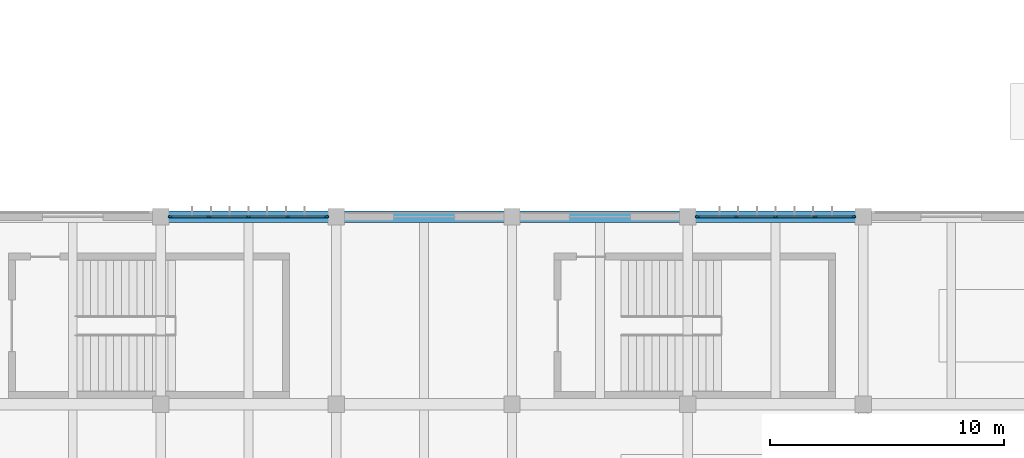
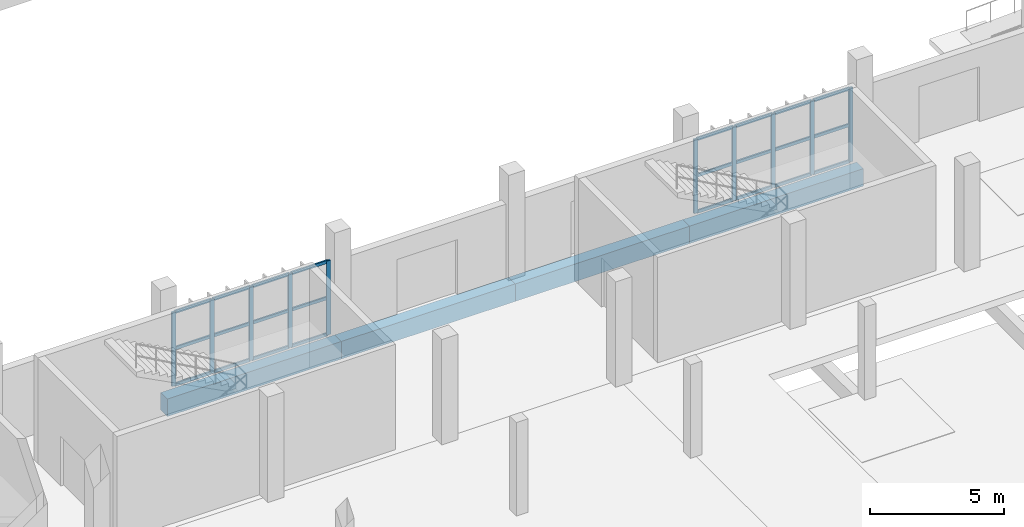
# One storey, part 18 of 72: 34 members, 4 beams, 2 elements without a shape of their own.
"""IFC4 building model written with IfcOpenShell, lengths in metres."""

from ifc_helpers import new_model, si_unit, direction, frame, origin, origin_2d, place, context, subcontext, project, spatial, rectangle, extrude, material, material_profile, profile_set, type_object, element, aggregate, save


model = new_model("IFC4")

# Units and contexts
model_context = context("Model", 3, precision=1e-05, world=origin(), true_north=direction((0.0, 1.0)))
body_context = subcontext(model_context, "Body", "Model", "MODEL_VIEW")
ifc_project = project(units=[si_unit("LENGTHUNIT", "METRE"), si_unit("AREAUNIT", "SQUARE_METRE"), si_unit("VOLUMEUNIT", "CUBIC_METRE"), si_unit("PLANEANGLEUNIT", "RADIAN"), si_unit("MASSUNIT", "GRAM", prefix="KILO")], contexts=[model_context])

# Site, building, storey
site_placement = place(None, origin())
site = spatial("IfcSite", under=ifc_project, at=site_placement, CompositionType="ELEMENT")
building_placement = place(site_placement, origin())
building = spatial("IfcBuilding", under=site, at=building_placement, Name="Vourika Railside Aquatics Centre", CompositionType="ELEMENT")
storey_placement = place(building_placement, origin())
storey = spatial("IfcBuildingStorey", under=building, at=storey_placement, Name="L00", CompositionType="ELEMENT", Elevation=0.0)

# Beams
ifc_material_1 = material(Name="Concrete C40/50", Category="concrete")
ifc_material_profile_1 = material_profile(ifc_material_1, rectangle(XDim=0.5, YDim=0.800048828125, at=origin_2d()), Name="RC 500x800")
ifc_profile_set_1 = profile_set([ifc_material_profile_1], Name="Concrete C40/50")
beam_type = type_object("IfcBeamType", Name="BM-TIE-500x800", PredefinedType="BEAM", material=ifc_profile_set_1)
for number, where, z_axis, x_axis, name in (
    (1, (96.0, 66.0, -0.719970703125), (1.0, 0.0, 0.0), (0.0, 1.0, 0.0), "Floor Beam GX-L00-105"),
    (2, (103.5, 66.0, -0.719970703125), (1.0, 0.0, 0.0), (0.0, 1.0, 0.0), "Floor Beam GX-L00-106"),
    (3, (111.0, 66.0, -0.719970703125), (1.0, 0.0, 0.0), (0.0, 1.0, 0.0), "Floor Beam GX-L00-107"),
    (4, (118.5, 66.0, -0.719970703125), (1.0, 0.0, 0.0), (0.0, 1.0, 0.0), "Floor Beam GX-L00-108"),
):
    element("IfcBeam", number, at=place(storey_placement, frame(where, z_axis=z_axis, x_axis=x_axis)), inside=storey, type_object=beam_type, Name=name, PredefinedType="BEAM", context=body_context, shape_type="SweptSolid", body=[
        extrude(rectangle(XDim=0.5, YDim=0.800048828125, at=origin_2d()), origin(), (0.0, 0.0, 1.0), 7.5),
    ])

# Curtain wall, members
ifc_material_2 = material(Name="Anodized thermally broken aluminium", Category="aluminium")
curtain_wall_type = type_object("IfcCurtainWallType", Name="CW-CRT0", PredefinedType="NOTDEFINED", material=ifc_material_2)
curtain_wall_1_placement = place(storey_placement, origin())
curtain_wall_1 = element("IfcCurtainWall", 5, at=curtain_wall_1_placement, inside=storey, type_object=curtain_wall_type, Name="North Courtyard Undercroft Curtain Wall 9", PredefinedType="NOTDEFINED")
ifc_material_3 = material(Name="Anodized aluminium mullion", Category="aluminium")
ifc_material_profile_2 = material_profile(ifc_material_3, rectangle(XDim=0.070068359375, YDim=0.177978515625, at=origin_2d()), Name="ALU-M 70x178")
ifc_profile_set_2 = profile_set([ifc_material_profile_2], Name="Anodized aluminium mullion")
member_type_1 = type_object("IfcMemberType", Name="CWM-CRT0", PredefinedType="MULLION", material=ifc_profile_set_2)
member_1_placement = place(storey_placement, frame((103.0849609375, 66.0, 0.0), z_axis=(0.0, 0.0, 1.0), x_axis=(0.0, -1.0, 0.0)))
member_1 = element("IfcMember", 6, at=member_1_placement, type_object=member_type_1, Name="CW12 mullion 1", PredefinedType="MULLION", context=body_context, shape_type="SweptSolid", body=[
    extrude(rectangle(XDim=0.070068359375, YDim=0.177978515625, at=origin_2d()), origin(), (0.0, 0.0, 1.0), 3.3798828125),
])
member_2_placement = place(storey_placement, frame((101.43505859375, 66.0, 0.0), z_axis=(0.0, 0.0, 1.0), x_axis=(0.0, -1.0, 0.0)))
member_2 = element("IfcMember", 7, at=member_2_placement, type_object=member_type_1, Name="CW12 mullion 2", PredefinedType="MULLION", context=body_context, shape_type="SweptSolid", body=[
    extrude(rectangle(XDim=0.070068359375, YDim=0.177978515625, at=origin_2d()), origin(), (0.0, 0.0, 1.0), 3.3798828125),
])
member_3_placement = place(storey_placement, frame((99.75, 66.0, 0.0), z_axis=(0.0, 0.0, 1.0), x_axis=(0.0, -1.0, 0.0)))
member_3 = element("IfcMember", 8, at=member_3_placement, type_object=member_type_1, Name="CW12 mullion 3", PredefinedType="MULLION", context=body_context, shape_type="SweptSolid", body=[
    extrude(rectangle(XDim=0.070068359375, YDim=0.177978515625, at=origin_2d()), origin(), (0.0, 0.0, 1.0), 3.3798828125),
])
member_4_placement = place(storey_placement, frame((98.06494140625, 66.0, 0.0), z_axis=(0.0, 0.0, 1.0), x_axis=(0.0, -1.0, 0.0)))
member_4 = element("IfcMember", 9, at=member_4_placement, type_object=member_type_1, Name="CW12 mullion 4", PredefinedType="MULLION", context=body_context, shape_type="SweptSolid", body=[
    extrude(rectangle(XDim=0.070068359375, YDim=0.177978515625, at=origin_2d()), origin(), (0.0, 0.0, 1.0), 3.3798828125),
])
member_5_placement = place(storey_placement, frame((96.4150390625, 66.0, 0.0), z_axis=(0.0, 0.0, 1.0), x_axis=(0.0, -1.0, 0.0)))
member_5 = element("IfcMember", 10, at=member_5_placement, type_object=member_type_1, Name="CW12 mullion 5", PredefinedType="MULLION", context=body_context, shape_type="SweptSolid", body=[
    extrude(rectangle(XDim=0.070068359375, YDim=0.177978515625, at=origin_2d()), origin(), (0.0, 0.0, 1.0), 3.3798828125),
])

curtain_wall_2_placement = place(storey_placement, origin())
curtain_wall_2 = element("IfcCurtainWall", 11, at=curtain_wall_2_placement, inside=storey, type_object=curtain_wall_type, Name="North Courtyard Undercroft Curtain Wall 12", PredefinedType="NOTDEFINED")
member_6_placement = place(storey_placement, frame((125.5849609375, 66.0, 0.0), z_axis=(0.0, 0.0, 1.0), x_axis=(0.0, -1.0, 0.0)))
member_6 = element("IfcMember", 12, at=member_6_placement, type_object=member_type_1, Name="CW12 mullion 1", PredefinedType="MULLION", context=body_context, shape_type="SweptSolid", body=[
    extrude(rectangle(XDim=0.070068359375, YDim=0.177978515625, at=origin_2d()), origin(), (0.0, 0.0, 1.0), 3.3798828125),
])
member_7_placement = place(storey_placement, frame((123.93505859375, 66.0, 0.0), z_axis=(0.0, 0.0, 1.0), x_axis=(0.0, -1.0, 0.0)))
member_7 = element("IfcMember", 13, at=member_7_placement, type_object=member_type_1, Name="CW12 mullion 2", PredefinedType="MULLION", context=body_context, shape_type="SweptSolid", body=[
    extrude(rectangle(XDim=0.070068359375, YDim=0.177978515625, at=origin_2d()), origin(), (0.0, 0.0, 1.0), 3.3798828125),
])
member_8_placement = place(storey_placement, frame((122.25, 66.0, 0.0), z_axis=(0.0, 0.0, 1.0), x_axis=(0.0, -1.0, 0.0)))
member_8 = element("IfcMember", 14, at=member_8_placement, type_object=member_type_1, Name="CW12 mullion 3", PredefinedType="MULLION", context=body_context, shape_type="SweptSolid", body=[
    extrude(rectangle(XDim=0.070068359375, YDim=0.177978515625, at=origin_2d()), origin(), (0.0, 0.0, 1.0), 3.3798828125),
])
member_9_placement = place(storey_placement, frame((120.56494140625, 66.0, 0.0), z_axis=(0.0, 0.0, 1.0), x_axis=(0.0, -1.0, 0.0)))
member_9 = element("IfcMember", 15, at=member_9_placement, type_object=member_type_1, Name="CW12 mullion 4", PredefinedType="MULLION", context=body_context, shape_type="SweptSolid", body=[
    extrude(rectangle(XDim=0.070068359375, YDim=0.177978515625, at=origin_2d()), origin(), (0.0, 0.0, 1.0), 3.3798828125),
])
member_10_placement = place(storey_placement, frame((118.9150390625, 66.0, 0.0), z_axis=(0.0, 0.0, 1.0), x_axis=(0.0, -1.0, 0.0)))
member_10 = element("IfcMember", 16, at=member_10_placement, type_object=member_type_1, Name="CW12 mullion 5", PredefinedType="MULLION", context=body_context, shape_type="SweptSolid", body=[
    extrude(rectangle(XDim=0.070068359375, YDim=0.177978515625, at=origin_2d()), origin(), (0.0, 0.0, 1.0), 3.3798828125),
])

# Member
ifc_material_4 = material(Name="Anodized aluminium transom", Category="aluminium")
ifc_material_profile_3 = material_profile(ifc_material_4, rectangle(XDim=0.070068359375, YDim=0.139892578125, at=origin_2d()), Name="ALU-T 70x140")
ifc_profile_set_3 = profile_set([ifc_material_profile_3], Name="Anodized aluminium transom")
member_type_2 = type_object("IfcMemberType", Name="CWT-CRT0", PredefinedType="USERDEFINED", material=ifc_profile_set_3)
member_11_placement = place(storey_placement, frame((103.050048828125, 66.0, 0.034912109375), z_axis=(-1.0, 0.0, 0.0), x_axis=(0.0, -1.0, 0.0)))
member_11 = element("IfcMember", 17, at=member_11_placement, type_object=member_type_2, Name="CW12 transom 1.1", ObjectType="TRANSOM", PredefinedType="USERDEFINED", context=body_context, shape_type="SweptSolid", body=[
    extrude(rectangle(XDim=0.070068359375, YDim=0.139892578125, at=origin_2d()), origin(), (0.0, 0.0, 1.0), 1.580078125),
])

member_12_placement = place(storey_placement, frame((103.050048828125, 66.0, 1.68994140625), z_axis=(-1.0, 0.0, 0.0), x_axis=(0.0, -1.0, 0.0)))
member_12 = element("IfcMember", 18, at=member_12_placement, type_object=member_type_2, Name="CW12 transom 1.2", ObjectType="TRANSOM", PredefinedType="USERDEFINED", context=body_context, shape_type="SweptSolid", body=[
    extrude(rectangle(XDim=0.070068359375, YDim=0.139892578125, at=origin_2d()), origin(), (0.0, 0.0, 1.0), 1.580078125),
])

member_13_placement = place(storey_placement, frame((103.050048828125, 66.0, 3.344970703125), z_axis=(-1.0, 0.0, 0.0), x_axis=(0.0, -1.0, 0.0)))
member_13 = element("IfcMember", 19, at=member_13_placement, type_object=member_type_2, Name="CW12 transom 1.3", ObjectType="TRANSOM", PredefinedType="USERDEFINED", context=body_context, shape_type="SweptSolid", body=[
    extrude(rectangle(XDim=0.070068359375, YDim=0.139892578125, at=origin_2d()), origin(), (0.0, 0.0, 1.0), 1.580078125),
])

member_14_placement = place(storey_placement, frame((101.39990234375, 66.0, 0.034912109375), z_axis=(-1.0, 0.0, 0.0), x_axis=(0.0, -1.0, 0.0)))
member_14 = element("IfcMember", 20, at=member_14_placement, type_object=member_type_2, Name="CW12 transom 2.1", ObjectType="TRANSOM", PredefinedType="USERDEFINED", context=body_context, shape_type="SweptSolid", body=[
    extrude(rectangle(XDim=0.070068359375, YDim=0.139892578125, at=origin_2d()), origin(), (0.0, 0.0, 1.0), 1.614990234375),
])

member_15_placement = place(storey_placement, frame((101.39990234375, 66.0, 1.68994140625), z_axis=(-1.0, 0.0, 0.0), x_axis=(0.0, -1.0, 0.0)))
member_15 = element("IfcMember", 21, at=member_15_placement, type_object=member_type_2, Name="CW12 transom 2.2", ObjectType="TRANSOM", PredefinedType="USERDEFINED", context=body_context, shape_type="SweptSolid", body=[
    extrude(rectangle(XDim=0.070068359375, YDim=0.139892578125, at=origin_2d()), origin(), (0.0, 0.0, 1.0), 1.614990234375),
])

member_16_placement = place(storey_placement, frame((101.39990234375, 66.0, 3.344970703125), z_axis=(-1.0, 0.0, 0.0), x_axis=(0.0, -1.0, 0.0)))
member_16 = element("IfcMember", 22, at=member_16_placement, type_object=member_type_2, Name="CW12 transom 2.3", ObjectType="TRANSOM", PredefinedType="USERDEFINED", context=body_context, shape_type="SweptSolid", body=[
    extrude(rectangle(XDim=0.070068359375, YDim=0.139892578125, at=origin_2d()), origin(), (0.0, 0.0, 1.0), 1.614990234375),
])

member_17_placement = place(storey_placement, frame((99.715087890625, 66.0, 0.034912109375), z_axis=(-1.0, 0.0, 0.0), x_axis=(0.0, -1.0, 0.0)))
member_17 = element("IfcMember", 23, at=member_17_placement, type_object=member_type_2, Name="CW12 transom 3.1", ObjectType="TRANSOM", PredefinedType="USERDEFINED", context=body_context, shape_type="SweptSolid", body=[
    extrude(rectangle(XDim=0.070068359375, YDim=0.139892578125, at=origin_2d()), origin(), (0.0, 0.0, 1.0), 1.614990234375),
])

member_18_placement = place(storey_placement, frame((99.715087890625, 66.0, 1.68994140625), z_axis=(-1.0, 0.0, 0.0), x_axis=(0.0, -1.0, 0.0)))
member_18 = element("IfcMember", 24, at=member_18_placement, type_object=member_type_2, Name="CW12 transom 3.2", ObjectType="TRANSOM", PredefinedType="USERDEFINED", context=body_context, shape_type="SweptSolid", body=[
    extrude(rectangle(XDim=0.070068359375, YDim=0.139892578125, at=origin_2d()), origin(), (0.0, 0.0, 1.0), 1.614990234375),
])

member_19_placement = place(storey_placement, frame((99.715087890625, 66.0, 3.344970703125), z_axis=(-1.0, 0.0, 0.0), x_axis=(0.0, -1.0, 0.0)))
member_19 = element("IfcMember", 25, at=member_19_placement, type_object=member_type_2, Name="CW12 transom 3.3", ObjectType="TRANSOM", PredefinedType="USERDEFINED", context=body_context, shape_type="SweptSolid", body=[
    extrude(rectangle(XDim=0.070068359375, YDim=0.139892578125, at=origin_2d()), origin(), (0.0, 0.0, 1.0), 1.614990234375),
])

member_20_placement = place(storey_placement, frame((98.030029296875, 66.0, 0.034912109375), z_axis=(-1.0, 0.0, 0.0), x_axis=(0.0, -1.0, 0.0)))
member_20 = element("IfcMember", 26, at=member_20_placement, type_object=member_type_2, Name="CW12 transom 4.1", ObjectType="TRANSOM", PredefinedType="USERDEFINED", context=body_context, shape_type="SweptSolid", body=[
    extrude(rectangle(XDim=0.070068359375, YDim=0.139892578125, at=origin_2d()), origin(), (0.0, 0.0, 1.0), 1.580078125),
])

member_21_placement = place(storey_placement, frame((98.030029296875, 66.0, 1.68994140625), z_axis=(-1.0, 0.0, 0.0), x_axis=(0.0, -1.0, 0.0)))
member_21 = element("IfcMember", 27, at=member_21_placement, type_object=member_type_2, Name="CW12 transom 4.2", ObjectType="TRANSOM", PredefinedType="USERDEFINED", context=body_context, shape_type="SweptSolid", body=[
    extrude(rectangle(XDim=0.070068359375, YDim=0.139892578125, at=origin_2d()), origin(), (0.0, 0.0, 1.0), 1.580078125),
])

member_22_placement = place(storey_placement, frame((98.030029296875, 66.0, 3.344970703125), z_axis=(-1.0, 0.0, 0.0), x_axis=(0.0, -1.0, 0.0)))
member_22 = element("IfcMember", 28, at=member_22_placement, type_object=member_type_2, Name="CW12 transom 4.3", ObjectType="TRANSOM", PredefinedType="USERDEFINED", context=body_context, shape_type="SweptSolid", body=[
    extrude(rectangle(XDim=0.070068359375, YDim=0.139892578125, at=origin_2d()), origin(), (0.0, 0.0, 1.0), 1.580078125),
])

aggregate(curtain_wall_1, [member_1, member_2, member_3, member_4, member_5, member_11, member_12, member_13, member_14, member_15, member_16, member_17, member_18, member_19, member_20, member_21, member_22])

member_23_placement = place(storey_placement, frame((125.550048828125, 66.0, 0.034912109375), z_axis=(-1.0, 0.0, 0.0), x_axis=(0.0, -1.0, 0.0)))
member_23 = element("IfcMember", 29, at=member_23_placement, type_object=member_type_2, Name="CW12 transom 1.1", ObjectType="TRANSOM", PredefinedType="USERDEFINED", context=body_context, shape_type="SweptSolid", body=[
    extrude(rectangle(XDim=0.070068359375, YDim=0.139892578125, at=origin_2d()), origin(), (0.0, 0.0, 1.0), 1.580078125),
])

member_24_placement = place(storey_placement, frame((125.550048828125, 66.0, 1.68994140625), z_axis=(-1.0, 0.0, 0.0), x_axis=(0.0, -1.0, 0.0)))
member_24 = element("IfcMember", 30, at=member_24_placement, type_object=member_type_2, Name="CW12 transom 1.2", ObjectType="TRANSOM", PredefinedType="USERDEFINED", context=body_context, shape_type="SweptSolid", body=[
    extrude(rectangle(XDim=0.070068359375, YDim=0.139892578125, at=origin_2d()), origin(), (0.0, 0.0, 1.0), 1.580078125),
])

member_25_placement = place(storey_placement, frame((125.550048828125, 66.0, 3.344970703125), z_axis=(-1.0, 0.0, 0.0), x_axis=(0.0, -1.0, 0.0)))
member_25 = element("IfcMember", 31, at=member_25_placement, type_object=member_type_2, Name="CW12 transom 1.3", ObjectType="TRANSOM", PredefinedType="USERDEFINED", context=body_context, shape_type="SweptSolid", body=[
    extrude(rectangle(XDim=0.070068359375, YDim=0.139892578125, at=origin_2d()), origin(), (0.0, 0.0, 1.0), 1.580078125),
])

member_26_placement = place(storey_placement, frame((123.89990234375, 66.0, 0.034912109375), z_axis=(-1.0, 0.0, 0.0), x_axis=(0.0, -1.0, 0.0)))
member_26 = element("IfcMember", 32, at=member_26_placement, type_object=member_type_2, Name="CW12 transom 2.1", ObjectType="TRANSOM", PredefinedType="USERDEFINED", context=body_context, shape_type="SweptSolid", body=[
    extrude(rectangle(XDim=0.070068359375, YDim=0.139892578125, at=origin_2d()), origin(), (0.0, 0.0, 1.0), 1.614990234375),
])

member_27_placement = place(storey_placement, frame((123.89990234375, 66.0, 1.68994140625), z_axis=(-1.0, 0.0, 0.0), x_axis=(0.0, -1.0, 0.0)))
member_27 = element("IfcMember", 33, at=member_27_placement, type_object=member_type_2, Name="CW12 transom 2.2", ObjectType="TRANSOM", PredefinedType="USERDEFINED", context=body_context, shape_type="SweptSolid", body=[
    extrude(rectangle(XDim=0.070068359375, YDim=0.139892578125, at=origin_2d()), origin(), (0.0, 0.0, 1.0), 1.614990234375),
])

member_28_placement = place(storey_placement, frame((123.89990234375, 66.0, 3.344970703125), z_axis=(-1.0, 0.0, 0.0), x_axis=(0.0, -1.0, 0.0)))
member_28 = element("IfcMember", 34, at=member_28_placement, type_object=member_type_2, Name="CW12 transom 2.3", ObjectType="TRANSOM", PredefinedType="USERDEFINED", context=body_context, shape_type="SweptSolid", body=[
    extrude(rectangle(XDim=0.070068359375, YDim=0.139892578125, at=origin_2d()), origin(), (0.0, 0.0, 1.0), 1.614990234375),
])

member_29_placement = place(storey_placement, frame((122.215087890625, 66.0, 0.034912109375), z_axis=(-1.0, 0.0, 0.0), x_axis=(0.0, -1.0, 0.0)))
member_29 = element("IfcMember", 35, at=member_29_placement, type_object=member_type_2, Name="CW12 transom 3.1", ObjectType="TRANSOM", PredefinedType="USERDEFINED", context=body_context, shape_type="SweptSolid", body=[
    extrude(rectangle(XDim=0.070068359375, YDim=0.139892578125, at=origin_2d()), origin(), (0.0, 0.0, 1.0), 1.614990234375),
])

member_30_placement = place(storey_placement, frame((122.215087890625, 66.0, 1.68994140625), z_axis=(-1.0, 0.0, 0.0), x_axis=(0.0, -1.0, 0.0)))
member_30 = element("IfcMember", 36, at=member_30_placement, type_object=member_type_2, Name="CW12 transom 3.2", ObjectType="TRANSOM", PredefinedType="USERDEFINED", context=body_context, shape_type="SweptSolid", body=[
    extrude(rectangle(XDim=0.070068359375, YDim=0.139892578125, at=origin_2d()), origin(), (0.0, 0.0, 1.0), 1.614990234375),
])

member_31_placement = place(storey_placement, frame((122.215087890625, 66.0, 3.344970703125), z_axis=(-1.0, 0.0, 0.0), x_axis=(0.0, -1.0, 0.0)))
member_31 = element("IfcMember", 37, at=member_31_placement, type_object=member_type_2, Name="CW12 transom 3.3", ObjectType="TRANSOM", PredefinedType="USERDEFINED", context=body_context, shape_type="SweptSolid", body=[
    extrude(rectangle(XDim=0.070068359375, YDim=0.139892578125, at=origin_2d()), origin(), (0.0, 0.0, 1.0), 1.614990234375),
])

member_32_placement = place(storey_placement, frame((120.530029296875, 66.0, 0.034912109375), z_axis=(-1.0, 0.0, 0.0), x_axis=(0.0, -1.0, 0.0)))
member_32 = element("IfcMember", 38, at=member_32_placement, type_object=member_type_2, Name="CW12 transom 4.1", ObjectType="TRANSOM", PredefinedType="USERDEFINED", context=body_context, shape_type="SweptSolid", body=[
    extrude(rectangle(XDim=0.070068359375, YDim=0.139892578125, at=origin_2d()), origin(), (0.0, 0.0, 1.0), 1.580078125),
])

member_33_placement = place(storey_placement, frame((120.530029296875, 66.0, 1.68994140625), z_axis=(-1.0, 0.0, 0.0), x_axis=(0.0, -1.0, 0.0)))
member_33 = element("IfcMember", 39, at=member_33_placement, type_object=member_type_2, Name="CW12 transom 4.2", ObjectType="TRANSOM", PredefinedType="USERDEFINED", context=body_context, shape_type="SweptSolid", body=[
    extrude(rectangle(XDim=0.070068359375, YDim=0.139892578125, at=origin_2d()), origin(), (0.0, 0.0, 1.0), 1.580078125),
])

member_34_placement = place(storey_placement, frame((120.530029296875, 66.0, 3.344970703125), z_axis=(-1.0, 0.0, 0.0), x_axis=(0.0, -1.0, 0.0)))
member_34 = element("IfcMember", 40, at=member_34_placement, type_object=member_type_2, Name="CW12 transom 4.3", ObjectType="TRANSOM", PredefinedType="USERDEFINED", context=body_context, shape_type="SweptSolid", body=[
    extrude(rectangle(XDim=0.070068359375, YDim=0.139892578125, at=origin_2d()), origin(), (0.0, 0.0, 1.0), 1.580078125),
])

aggregate(curtain_wall_2, [member_6, member_7, member_8, member_9, member_10, member_23, member_24, member_25, member_26, member_27, member_28, member_29, member_30, member_31, member_32, member_33, member_34])

save(model, "model.ifc")
